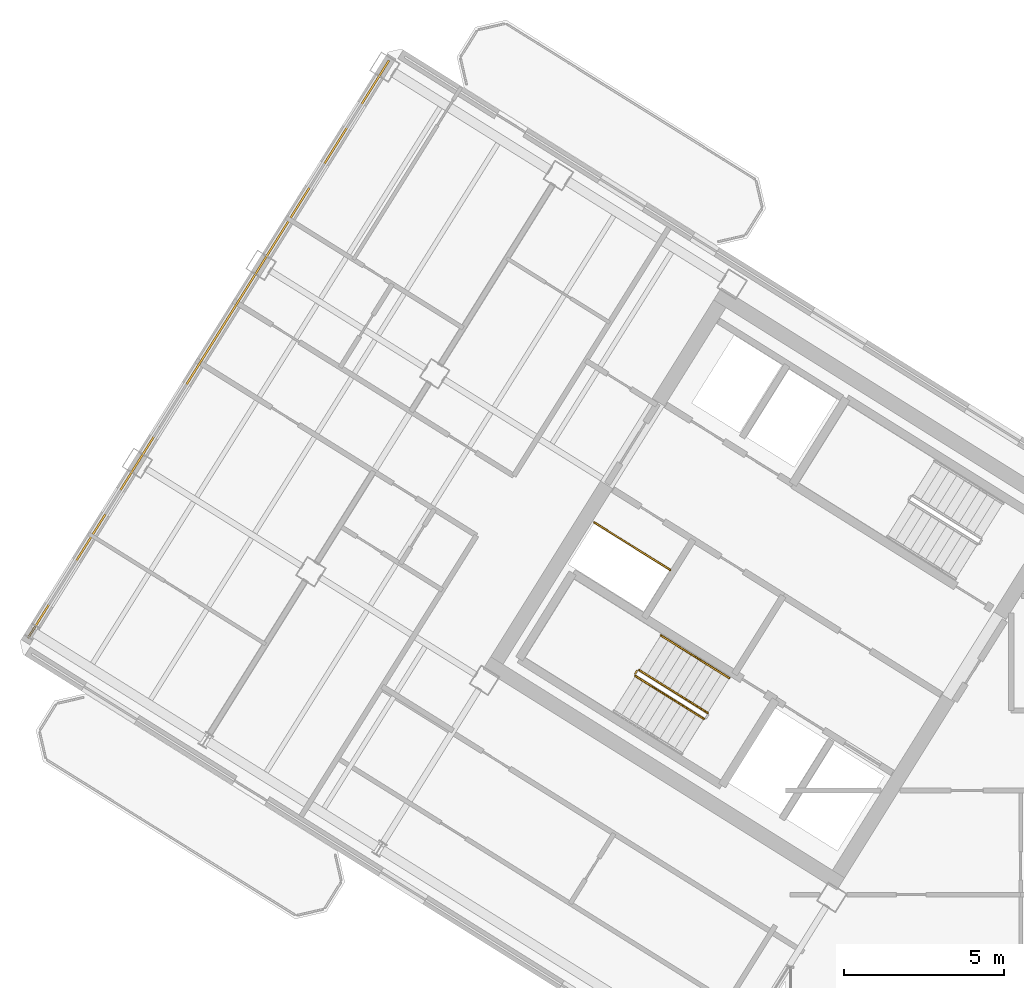
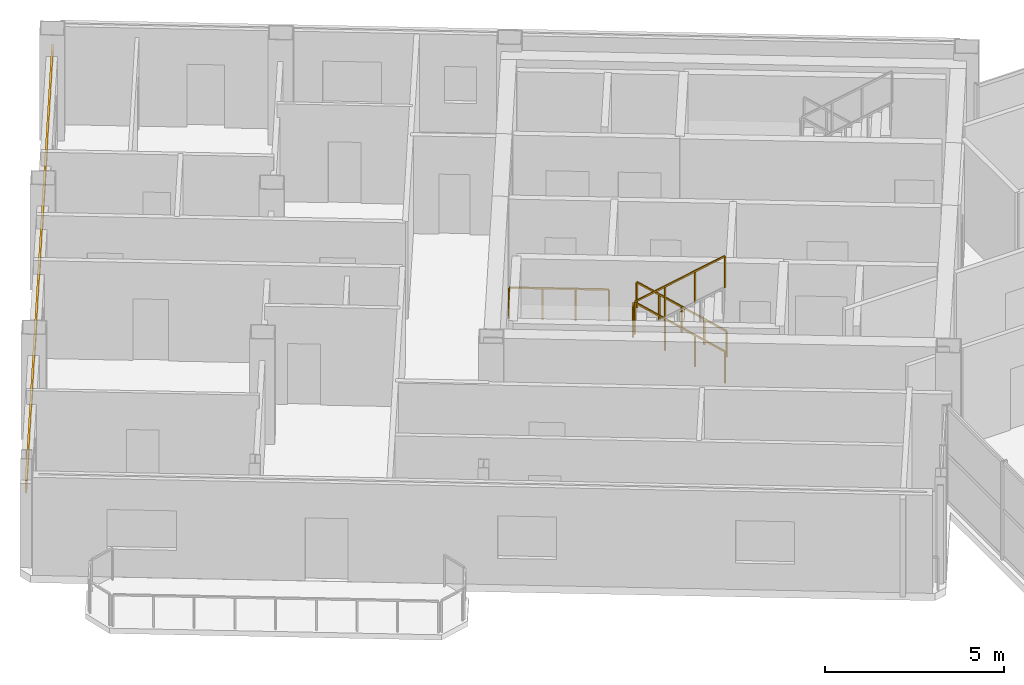
# One storey, part 11 of 13: 6 railings, 1 covering.
"""IFC4 building model written with IfcOpenShell, lengths in metres."""

from ifc_helpers import new_model, si_unit, direction, frame, origin, origin_2d, place, context, subcontext, project, spatial, rectangle, extrude, source, transform, mapped, material, layer, layer_set, type_object, element, save


model = new_model("IFC4")

# Units and contexts
model_context = context("Model", 3, precision=1e-05, world=origin(), true_north=direction((0.0, 1.0)))
body_context = subcontext(model_context, "Body", "Model", "MODEL_VIEW")
ifc_project = project(units=[si_unit("LENGTHUNIT", "METRE"), si_unit("AREAUNIT", "SQUARE_METRE"), si_unit("VOLUMEUNIT", "CUBIC_METRE"), si_unit("PLANEANGLEUNIT", "RADIAN"), si_unit("MASSUNIT", "GRAM", prefix="KILO")], contexts=[model_context])

# Site, building, storey
site_placement = place(None, origin())
site = spatial("IfcSite", under=ifc_project, at=site_placement, CompositionType="ELEMENT")
building_placement = place(site_placement, origin())
building = spatial("IfcBuilding", under=site, at=building_placement, Name="Tlacorven Tower", CompositionType="ELEMENT")
storey_placement = place(building_placement, frame((0.0, 0.0, 291.60009765625)))
storey = spatial("IfcBuildingStorey", under=building, at=storey_placement, Name="L74", CompositionType="ELEMENT", Elevation=291.60009765625)

# Railing
ifc_material_1 = material(Name="Aluminium and painted steel balustrade", Category="steel")
railing_type_1 = type_object("IfcRailingType", Name="RL-GRD-1100", PredefinedType="GUARDRAIL", material=ifc_material_1)
shared_shape_1 = source(origin(), body_context, "Body", "SweptSolid", [
    extrude(rectangle(XDim=0.048095703125, YDim=0.048095703125, at=origin_2d()), frame((0.0, 0.0, 1.076171875), z_axis=(-0.848091358275, 0.529850024081, 0.0), x_axis=(-0.529850024081, -0.848091358275, 0.0)), (0.0, 0.0, 1.0), 2.800048828125),
    extrude(rectangle(XDim=0.0419921875, YDim=0.0419921875, at=origin_2d()), origin(), (0.0, 0.0, 1.0), 1.052001953125),
    extrude(rectangle(XDim=0.0419921875, YDim=0.0419921875, at=origin_2d()), frame((-0.79150390625, 0.49462890625, 0.0)), (0.0, 0.0, 1.0), 1.052001953125),
    extrude(rectangle(XDim=0.0419921875, YDim=0.0419921875, at=origin_2d()), frame((-1.583251953125, 0.989013671875, 0.0)), (0.0, 0.0, 1.0), 1.052001953125),
    extrude(rectangle(XDim=0.0419921875, YDim=0.0419921875, at=origin_2d()), frame((-2.374755859375, 1.483642578125, 0.0)), (0.0, 0.0, 1.0), 1.052001953125),
])
railing_1_placement = place(storey_placement, frame((27.9912109375, 22.32080078125, 0.0)))
element("IfcRailing", 1, at=railing_1_placement, inside=storey, type_object=railing_type_1, Name="L74 Electrical Riser W Shaft Guard 1", PredefinedType="GUARDRAIL", context=body_context, shape_type="MappedRepresentation", body=[
    mapped(shared_shape_1, transform((0.0, 0.0, 0.0), scale=1.0)),
])

# Covering
ifc_material_2 = material(Name="Precast concrete C45/55", Category="concrete")
ifc_layer = layer(ifc_material_2, 0.06005859375)
ifc_layer_set = layer_set([ifc_layer], Name="Precast concrete C45/55")
covering_type = type_object("IfcCoveringType", Name="CV-CLD-TERC", PredefinedType="CLADDING", material=ifc_layer_set)
shared_shape_2 = source(origin(), body_context, "Body", "SweptSolid", [
    extrude(rectangle(XDim=21.287353515625, YDim=0.06005859375, at=origin_2d()), origin(), (0.0, 0.0, 1.0), 0.419921875),
])
covering_placement = place(storey_placement, frame((13.561767578125, 29.214599609375, 2.454833984375), z_axis=(0.0, 0.0, 1.0), x_axis=(0.529919478984, 0.848047961965, 0.0)))
element("IfcCovering", 2, at=covering_placement, inside=storey, type_object=covering_type, Name="L74 Masonry-Frame Spandrel Cladding 3", PredefinedType="CLADDING", context=body_context, shape_type="MappedRepresentation", body=[
    mapped(shared_shape_2, transform((0.0, 0.0, 0.0), scale=1.0)),
])

# Railings
shared_shape_3 = source(origin(), body_context, "Body", "SweptSolid", [
    extrude(rectangle(XDim=0.048095703125, YDim=0.048095703125, at=origin_2d()), frame((0.0, 0.0, 1.076171875), z_axis=(-0.530546985787, -0.847655529016, 0.0), x_axis=(0.847655529016, -0.530546985787, 0.0)), (0.0, 0.0, 1.0), 0.1201171875),
    extrude(rectangle(XDim=0.0419921875, YDim=0.0419921875, at=origin_2d()), origin(), (0.0, 0.0, 1.0), 1.052001953125),
    extrude(rectangle(XDim=0.0419921875, YDim=0.0419921875, at=origin_2d()), frame((-0.063720703125, -0.101806640625, 0.0)), (0.0, 0.0, 1.0), 1.052001953125),
])
railing_2_placement = place(storey_placement, frame((26.954833984375, 19.17138671875, 1.7998046875)))
element("IfcRailing", 3, at=railing_2_placement, inside=storey, type_object=railing_type_1, Name="L74 ST-W1 stair guard 2", PredefinedType="GUARDRAIL", context=body_context, shape_type="MappedRepresentation", body=[
    mapped(shared_shape_3, transform((0.0, 0.0, 0.0), scale=1.0)),
])
railing_type_2 = type_object("IfcRailingType", Name="RL-HND-0900", PredefinedType="HANDRAIL", material=ifc_material_1)
shared_shape_4 = source(origin(), body_context, "Body", "SweptSolid", [
    extrude(rectangle(XDim=0.048095703125, YDim=0.048095703125, at=origin_2d()), frame((0.0, 0.0, 0.8759765625), z_axis=(-0.713359751793, 0.4457479829, 0.540764828981), x_axis=(-0.529911857636, -0.848052724267, 0.0)), (0.0, 0.0, 1.0), 1.498046875),
    extrude(rectangle(XDim=0.0419921875, YDim=0.0419921875, at=origin_2d()), origin(), (0.0, 0.0, 1.0), 0.851806640625),
    extrude(rectangle(XDim=0.0419921875, YDim=0.0419921875, at=origin_2d()), frame((-0.5341796875, 0.333984375, 0.405029296875)), (0.0, 0.0, 1.0), 0.851806640625),
    extrude(rectangle(XDim=0.0419921875, YDim=0.0419921875, at=origin_2d()), frame((-1.068603515625, 0.667724609375, 0.81005859375)), (0.0, 0.0, 1.0), 0.851806640625),
])
railing_3_placement = place(storey_placement, frame((29.839111328125, 18.937255859375, 0.179931640625)))
element("IfcRailing", 4, at=railing_3_placement, inside=storey, type_object=railing_type_2, Name="L74 ST-W1 stair handrail 1", PredefinedType="HANDRAIL", context=body_context, shape_type="MappedRepresentation", body=[
    mapped(shared_shape_4, transform((0.0, 0.0, 0.0), scale=1.0)),
])
shared_shape_5 = source(origin(), body_context, "Body", "SweptSolid", [
    extrude(rectangle(XDim=0.048095703125, YDim=0.048095703125, at=origin_2d()), frame((0.0, 0.0, 1.076171875), z_axis=(-0.713351164325, 0.445793541512, 0.540738601085), x_axis=(-0.529955395941, -0.84802551749, 0.0)), (0.0, 0.0, 1.0), 2.99560546875),
    extrude(rectangle(XDim=0.0419921875, YDim=0.0419921875, at=origin_2d()), origin(), (0.0, 0.0, 1.0), 1.052001953125),
    extrude(rectangle(XDim=0.0419921875, YDim=0.0419921875, at=origin_2d()), frame((-0.71240234375, 0.445068359375, 0.5400390625)), (0.0, 0.0, 1.0), 1.052001953125),
    extrude(rectangle(XDim=0.0419921875, YDim=0.0419921875, at=origin_2d()), frame((-1.424560546875, 0.890380859375, 1.079833984375)), (0.0, 0.0, 1.0), 1.052001953125),
    extrude(rectangle(XDim=0.0419921875, YDim=0.0419921875, at=origin_2d()), frame((-2.136962890625, 1.33544921875, 1.619873046875)), (0.0, 0.0, 1.0), 1.052001953125),
])
railing_4_placement = place(storey_placement, frame((29.16064453125, 17.851806640625, 0.179931640625)))
element("IfcRailing", 5, at=railing_4_placement, inside=storey, type_object=railing_type_1, Name="L74 ST-W1 stair guard 1", PredefinedType="GUARDRAIL", context=body_context, shape_type="MappedRepresentation", body=[
    mapped(shared_shape_5, transform((0.0, 0.0, 0.0), scale=1.0)),
])
shared_shape_6 = source(origin(), body_context, "Body", "SweptSolid", [
    extrude(rectangle(XDim=0.048095703125, YDim=0.048095703125, at=origin_2d()), frame((0.0, 0.0, 1.076171875), z_axis=(0.71339118691, -0.44576762536, 0.540707165313), x_axis=(0.529911857636, 0.848052724267, 0.0)), (0.0, 0.0, 1.0), 2.995849609375),
    extrude(rectangle(XDim=0.0419921875, YDim=0.0419921875, at=origin_2d()), origin(), (0.0, 0.0, 1.0), 1.052001953125),
    extrude(rectangle(XDim=0.0419921875, YDim=0.0419921875, at=origin_2d()), frame((0.71240234375, -0.445068359375, 0.5400390625)), (0.0, 0.0, 1.0), 1.052001953125),
    extrude(rectangle(XDim=0.0419921875, YDim=0.0419921875, at=origin_2d()), frame((1.4248046875, -0.890380859375, 1.079833984375)), (0.0, 0.0, 1.0), 1.052001953125),
    extrude(rectangle(XDim=0.0419921875, YDim=0.0419921875, at=origin_2d()), frame((2.13720703125, -1.33544921875, 1.619873046875)), (0.0, 0.0, 1.0), 1.052001953125),
])
railing_5_placement = place(storey_placement, frame((26.906982421875, 19.000732421875, 1.97998046875)))
element("IfcRailing", 6, at=railing_5_placement, inside=storey, type_object=railing_type_1, Name="L74 ST-W1 stair guard 3", PredefinedType="GUARDRAIL", context=body_context, shape_type="MappedRepresentation", body=[
    mapped(shared_shape_6, transform((0.0, 0.0, 0.0), scale=1.0)),
])
shared_shape_7 = source(origin(), body_context, "Body", "SweptSolid", [
    extrude(rectangle(XDim=0.048095703125, YDim=0.048095703125, at=origin_2d()), frame((0.0, 0.0, 0.8759765625), z_axis=(-0.713422621445, 0.445787267455, 0.540649494022), x_axis=(-0.529911857636, -0.848052724267, 0.0)), (0.0, 0.0, 1.0), 1.497802734375),
    extrude(rectangle(XDim=0.0419921875, YDim=0.0419921875, at=origin_2d()), origin(), (0.0, 0.0, 1.0), 0.851806640625),
    extrude(rectangle(XDim=0.0419921875, YDim=0.0419921875, at=origin_2d()), frame((-0.5341796875, 0.333984375, 0.40478515625)), (0.0, 0.0, 1.0), 0.851806640625),
    extrude(rectangle(XDim=0.0419921875, YDim=0.0419921875, at=origin_2d()), frame((-1.068603515625, 0.667724609375, 0.809814453125)), (0.0, 0.0, 1.0), 0.851806640625),
])
railing_6_placement = place(storey_placement, frame((28.7705078125, 19.60498046875, 0.989990234375)))
element("IfcRailing", 7, at=railing_6_placement, inside=storey, type_object=railing_type_2, Name="L74 ST-W1 stair handrail 2", PredefinedType="HANDRAIL", context=body_context, shape_type="MappedRepresentation", body=[
    mapped(shared_shape_7, transform((0.0, 0.0, 0.0), scale=1.0)),
])

save(model, "model.ifc")
